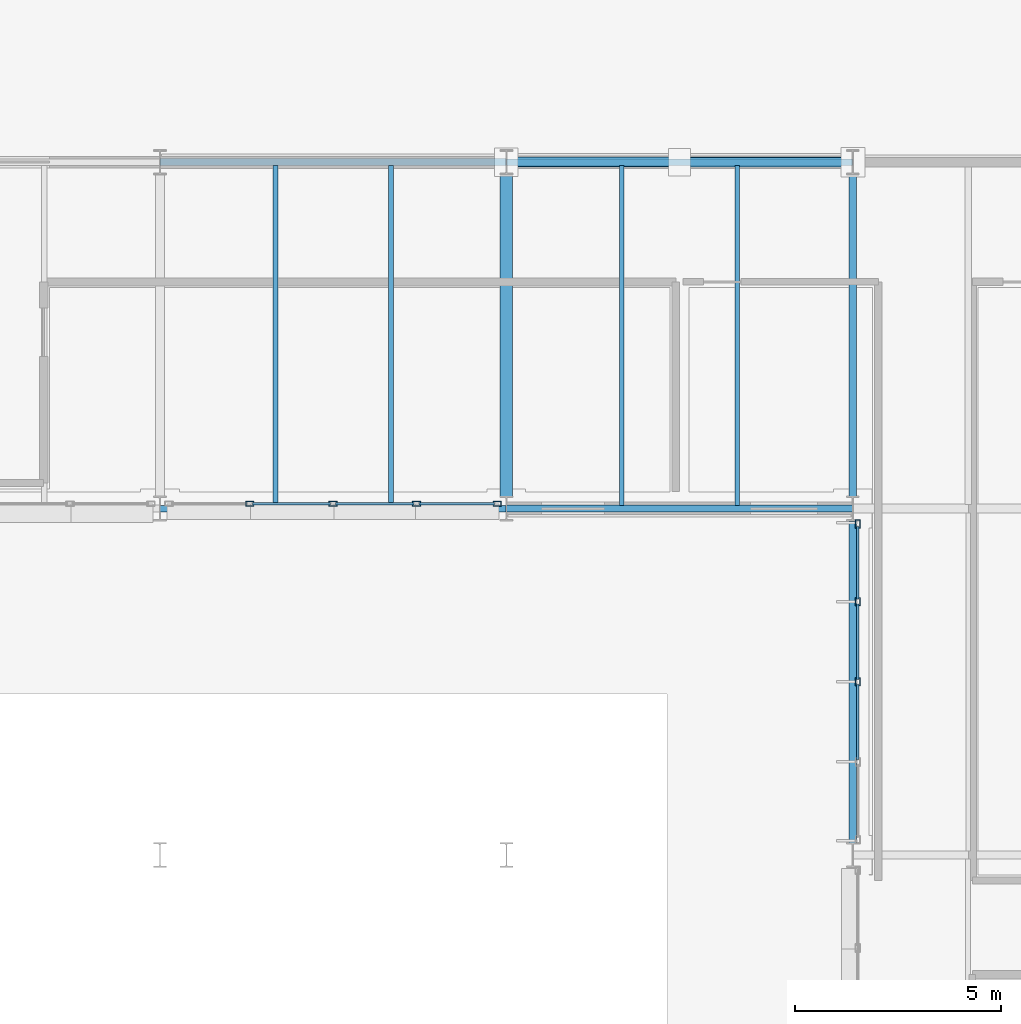
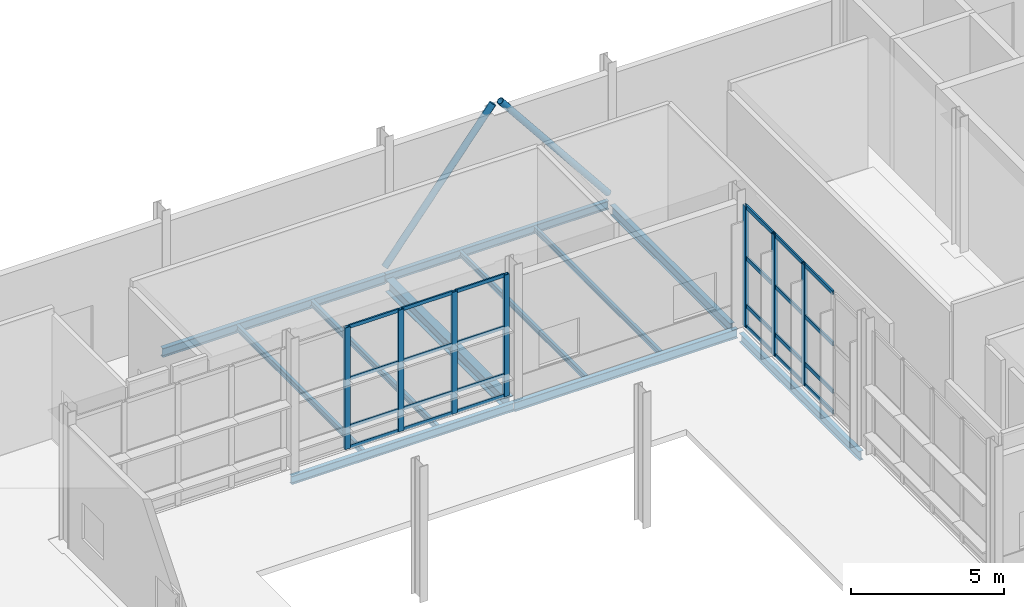
# One storey, part 65 of 124: 33 members, 11 beams, 2 elements without a shape of their own.
"""IFC4 building model written with IfcOpenShell, lengths in metres."""

from ifc_helpers import new_model, si_unit, direction, frame, origin, origin_2d, place, context, subcontext, project, spatial, hollow_rectangle, hollow_circle, i_section, extrude, material, material_profile, profile_set, type_object, element, aggregate, save


model = new_model("IFC4")

# Units and contexts
model_context = context("Model", 3, precision=1e-05, world=origin(), true_north=direction((0.0, 1.0)))
body_context = subcontext(model_context, "Body", "Model", "MODEL_VIEW")
ifc_project = project(units=[si_unit("LENGTHUNIT", "METRE"), si_unit("AREAUNIT", "SQUARE_METRE"), si_unit("VOLUMEUNIT", "CUBIC_METRE"), si_unit("PLANEANGLEUNIT", "RADIAN"), si_unit("MASSUNIT", "GRAM", prefix="KILO")], contexts=[model_context])

# Site, building, storey
site_placement = place(None, origin())
site = spatial("IfcSite", under=ifc_project, at=site_placement, CompositionType="ELEMENT")
building_placement = place(site_placement, origin())
building = spatial("IfcBuilding", under=site, at=building_placement, Name="Mersafa Astral City Hall", CompositionType="ELEMENT")
storey_placement = place(building_placement, origin())
storey = spatial("IfcBuildingStorey", under=building, at=storey_placement, Name="L00", CompositionType="ELEMENT", Elevation=0.0)

# Curtain wall, members
ifc_material_1 = material(Name="Anodised bronze aluminium framing", Category="aluminium")
curtain_wall_type_1 = type_object("IfcCurtainWallType", Name="ENV-CW-4", PredefinedType="USERDEFINED", material=ifc_material_1)
curtain_wall_1_placement = place(storey_placement, origin())
curtain_wall_1 = element("IfcCurtainWall", 1, at=curtain_wall_1_placement, inside=storey, type_object=curtain_wall_type_1, Name="L00 Unitised solar curtain wall 15", ObjectType="UNITISED CURTAIN WALL", PredefinedType="USERDEFINED")
ifc_material_profile_1 = material_profile(ifc_material_1, hollow_rectangle(XDim=0.1201171875, YDim=0.199951171875, WallThickness=0.008056640625, at=origin_2d()), Name="RHS 120x200x8")
ifc_profile_set_1 = profile_set([ifc_material_profile_1], Name="Anodised bronze aluminium framing")
member_type_1 = type_object("IfcMemberType", Name="ENV-CW-MUL-2", PredefinedType="MULLION", material=ifc_profile_set_1)
member_1_placement = place(storey_placement, frame((128.180908203125, 117.719970703125, -0.001953125), z_axis=(0.0, 0.0, 1.0), x_axis=(0.0, 1.0, 0.0)))
member_1 = element("IfcMember", 2, at=member_1_placement, type_object=member_type_1, Name="CW-4 mullion 2", PredefinedType="MULLION", context=body_context, shape_type="SweptSolid", body=[
    extrude(hollow_rectangle(XDim=0.1201171875, YDim=0.199951171875, WallThickness=0.008056640625, at=origin_2d()), origin(), (0.0, 0.0, 1.0), 4.843994140625),
])
member_2_placement = place(storey_placement, frame((130.199951171875, 117.719970703125, -0.001953125), z_axis=(0.0, 0.0, 1.0), x_axis=(0.0, 1.0, 0.0)))
member_2 = element("IfcMember", 3, at=member_2_placement, type_object=member_type_1, Name="CW-4 mullion 3", PredefinedType="MULLION", context=body_context, shape_type="SweptSolid", body=[
    extrude(hollow_rectangle(XDim=0.1201171875, YDim=0.199951171875, WallThickness=0.008056640625, at=origin_2d()), origin(), (0.0, 0.0, 1.0), 4.843994140625),
])
member_3_placement = place(storey_placement, frame((132.218994140625, 117.719970703125, -0.001953125), z_axis=(0.0, 0.0, 1.0), x_axis=(0.0, 1.0, 0.0)))
member_3 = element("IfcMember", 4, at=member_3_placement, type_object=member_type_1, Name="CW-4 mullion 4", PredefinedType="MULLION", context=body_context, shape_type="SweptSolid", body=[
    extrude(hollow_rectangle(XDim=0.1201171875, YDim=0.199951171875, WallThickness=0.008056640625, at=origin_2d()), origin(), (0.0, 0.0, 1.0), 4.843994140625),
])
member_4_placement = place(storey_placement, frame((134.177978515625, 117.719970703125, -0.001953125), z_axis=(0.0, 0.0, 1.0), x_axis=(0.0, 1.0, 0.0)))
member_4 = element("IfcMember", 5, at=member_4_placement, type_object=member_type_1, Name="CW-4 mullion 5", PredefinedType="MULLION", context=body_context, shape_type="SweptSolid", body=[
    extrude(hollow_rectangle(XDim=0.1201171875, YDim=0.199951171875, WallThickness=0.008056640625, at=origin_2d()), origin(), (0.0, 0.0, 1.0), 4.843994140625),
])

curtain_wall_type_2 = type_object("IfcCurtainWallType", Name="ENV-CW-5", PredefinedType="USERDEFINED", material=ifc_material_1)
curtain_wall_2_placement = place(storey_placement, origin())
curtain_wall_2 = element("IfcCurtainWall", 6, at=curtain_wall_2_placement, inside=storey, type_object=curtain_wall_type_2, Name="L00 Unitised solar curtain wall 16", ObjectType="UNITISED CURTAIN WALL", PredefinedType="USERDEFINED")
member_5_placement = place(storey_placement, frame((142.919921875, 117.22802734375, -0.001953125), z_axis=(0.0, 0.0, 1.0), x_axis=(1.0, 0.0, 0.0)))
member_5 = element("IfcMember", 7, at=member_5_placement, type_object=member_type_1, Name="CW-5 mullion 1", PredefinedType="MULLION", context=body_context, shape_type="SweptSolid", body=[
    extrude(hollow_rectangle(XDim=0.1201171875, YDim=0.199951171875, WallThickness=0.008056640625, at=origin_2d()), origin(), (0.0, 0.0, 1.0), 4.81396484375),
])
member_6_placement = place(storey_placement, frame((142.919921875, 115.343994140625, -0.001953125), z_axis=(0.0, 0.0, 1.0), x_axis=(1.0, 0.0, 0.0)))
member_6 = element("IfcMember", 8, at=member_6_placement, type_object=member_type_1, Name="CW-5 mullion 2", PredefinedType="MULLION", context=body_context, shape_type="SweptSolid", body=[
    extrude(hollow_rectangle(XDim=0.1201171875, YDim=0.199951171875, WallThickness=0.008056640625, at=origin_2d()), origin(), (0.0, 0.0, 1.0), 4.81396484375),
])
member_7_placement = place(storey_placement, frame((142.919921875, 113.39990234375, -0.001953125), z_axis=(0.0, 0.0, 1.0), x_axis=(1.0, 0.0, 0.0)))
member_7 = element("IfcMember", 9, at=member_7_placement, type_object=member_type_1, Name="CW-5 mullion 3", PredefinedType="MULLION", context=body_context, shape_type="SweptSolid", body=[
    extrude(hollow_rectangle(XDim=0.1201171875, YDim=0.199951171875, WallThickness=0.008056640625, at=origin_2d()), origin(), (0.0, 0.0, 1.0), 4.81396484375),
])

# Member
ifc_material_profile_2 = material_profile(ifc_material_1, hollow_rectangle(XDim=0.06005859375, YDim=0.139892578125, WallThickness=0.00390625, at=origin_2d()), Name="RHS 60x140x4")
ifc_profile_set_2 = profile_set([ifc_material_profile_2], Name="Anodised bronze aluminium framing")
member_type_2 = type_object("IfcMemberType", Name="ENV-CW-TRN-1", PredefinedType="USERDEFINED", material=ifc_profile_set_2)
member_8_placement = place(storey_placement, frame((128.240966796875, 117.719970703125, 0.028076171875), z_axis=(1.0, 0.0, 0.0), x_axis=(0.0, 1.0, 0.0)))
member_8 = element("IfcMember", 10, at=member_8_placement, type_object=member_type_2, Name="CW-4 transom 2.1", ObjectType="TRANSOM", PredefinedType="USERDEFINED", context=body_context, shape_type="SweptSolid", body=[
    extrude(hollow_rectangle(XDim=0.06005859375, YDim=0.139892578125, WallThickness=0.00390625, at=origin_2d()), origin(), (0.0, 0.0, 1.0), 1.89892578125),
])

member_9_placement = place(storey_placement, frame((128.240966796875, 117.719970703125, 0.85009765625), z_axis=(1.0, 0.0, 0.0), x_axis=(0.0, 1.0, 0.0)))
member_9 = element("IfcMember", 11, at=member_9_placement, type_object=member_type_2, Name="CW-4 transom 2.2", ObjectType="TRANSOM", PredefinedType="USERDEFINED", context=body_context, shape_type="SweptSolid", body=[
    extrude(hollow_rectangle(XDim=0.06005859375, YDim=0.139892578125, WallThickness=0.00390625, at=origin_2d()), origin(), (0.0, 0.0, 1.0), 1.89892578125),
])

member_10_placement = place(storey_placement, frame((128.240966796875, 117.719970703125, 2.75), z_axis=(1.0, 0.0, 0.0), x_axis=(0.0, 1.0, 0.0)))
member_10 = element("IfcMember", 12, at=member_10_placement, type_object=member_type_2, Name="CW-4 transom 2.3", ObjectType="TRANSOM", PredefinedType="USERDEFINED", context=body_context, shape_type="SweptSolid", body=[
    extrude(hollow_rectangle(XDim=0.06005859375, YDim=0.139892578125, WallThickness=0.00390625, at=origin_2d()), origin(), (0.0, 0.0, 1.0), 1.89892578125),
])

member_11_placement = place(storey_placement, frame((128.240966796875, 117.719970703125, 4.81201171875), z_axis=(1.0, 0.0, 0.0), x_axis=(0.0, 1.0, 0.0)))
member_11 = element("IfcMember", 13, at=member_11_placement, type_object=member_type_2, Name="CW-4 transom 2.4", ObjectType="TRANSOM", PredefinedType="USERDEFINED", context=body_context, shape_type="SweptSolid", body=[
    extrude(hollow_rectangle(XDim=0.06005859375, YDim=0.139892578125, WallThickness=0.00390625, at=origin_2d()), origin(), (0.0, 0.0, 1.0), 1.89892578125),
])

member_12_placement = place(storey_placement, frame((130.260009765625, 117.719970703125, 0.028076171875), z_axis=(1.0, 0.0, 0.0), x_axis=(0.0, 1.0, 0.0)))
member_12 = element("IfcMember", 14, at=member_12_placement, type_object=member_type_2, Name="CW-4 transom 3.1", ObjectType="TRANSOM", PredefinedType="USERDEFINED", context=body_context, shape_type="SweptSolid", body=[
    extrude(hollow_rectangle(XDim=0.06005859375, YDim=0.139892578125, WallThickness=0.00390625, at=origin_2d()), origin(), (0.0, 0.0, 1.0), 1.89892578125),
])

member_13_placement = place(storey_placement, frame((130.260009765625, 117.719970703125, 0.85009765625), z_axis=(1.0, 0.0, 0.0), x_axis=(0.0, 1.0, 0.0)))
member_13 = element("IfcMember", 15, at=member_13_placement, type_object=member_type_2, Name="CW-4 transom 3.2", ObjectType="TRANSOM", PredefinedType="USERDEFINED", context=body_context, shape_type="SweptSolid", body=[
    extrude(hollow_rectangle(XDim=0.06005859375, YDim=0.139892578125, WallThickness=0.00390625, at=origin_2d()), origin(), (0.0, 0.0, 1.0), 1.89892578125),
])

member_14_placement = place(storey_placement, frame((130.260009765625, 117.719970703125, 2.75), z_axis=(1.0, 0.0, 0.0), x_axis=(0.0, 1.0, 0.0)))
member_14 = element("IfcMember", 16, at=member_14_placement, type_object=member_type_2, Name="CW-4 transom 3.3", ObjectType="TRANSOM", PredefinedType="USERDEFINED", context=body_context, shape_type="SweptSolid", body=[
    extrude(hollow_rectangle(XDim=0.06005859375, YDim=0.139892578125, WallThickness=0.00390625, at=origin_2d()), origin(), (0.0, 0.0, 1.0), 1.89892578125),
])

member_15_placement = place(storey_placement, frame((130.260009765625, 117.719970703125, 4.81201171875), z_axis=(1.0, 0.0, 0.0), x_axis=(0.0, 1.0, 0.0)))
member_15 = element("IfcMember", 17, at=member_15_placement, type_object=member_type_2, Name="CW-4 transom 3.4", ObjectType="TRANSOM", PredefinedType="USERDEFINED", context=body_context, shape_type="SweptSolid", body=[
    extrude(hollow_rectangle(XDim=0.06005859375, YDim=0.139892578125, WallThickness=0.00390625, at=origin_2d()), origin(), (0.0, 0.0, 1.0), 1.89892578125),
])

member_16_placement = place(storey_placement, frame((132.279052734375, 117.719970703125, 0.028076171875), z_axis=(1.0, 0.0, 0.0), x_axis=(0.0, 1.0, 0.0)))
member_16 = element("IfcMember", 18, at=member_16_placement, type_object=member_type_2, Name="CW-4 transom 4.1", ObjectType="TRANSOM", PredefinedType="USERDEFINED", context=body_context, shape_type="SweptSolid", body=[
    extrude(hollow_rectangle(XDim=0.06005859375, YDim=0.139892578125, WallThickness=0.00390625, at=origin_2d()), origin(), (0.0, 0.0, 1.0), 1.8388671875),
])

member_17_placement = place(storey_placement, frame((132.279052734375, 117.719970703125, 0.85009765625), z_axis=(1.0, 0.0, 0.0), x_axis=(0.0, 1.0, 0.0)))
member_17 = element("IfcMember", 19, at=member_17_placement, type_object=member_type_2, Name="CW-4 transom 4.2", ObjectType="TRANSOM", PredefinedType="USERDEFINED", context=body_context, shape_type="SweptSolid", body=[
    extrude(hollow_rectangle(XDim=0.06005859375, YDim=0.139892578125, WallThickness=0.00390625, at=origin_2d()), origin(), (0.0, 0.0, 1.0), 1.8388671875),
])

member_18_placement = place(storey_placement, frame((132.279052734375, 117.719970703125, 2.75), z_axis=(1.0, 0.0, 0.0), x_axis=(0.0, 1.0, 0.0)))
member_18 = element("IfcMember", 20, at=member_18_placement, type_object=member_type_2, Name="CW-4 transom 4.3", ObjectType="TRANSOM", PredefinedType="USERDEFINED", context=body_context, shape_type="SweptSolid", body=[
    extrude(hollow_rectangle(XDim=0.06005859375, YDim=0.139892578125, WallThickness=0.00390625, at=origin_2d()), origin(), (0.0, 0.0, 1.0), 1.8388671875),
])

member_19_placement = place(storey_placement, frame((132.279052734375, 117.719970703125, 4.81201171875), z_axis=(1.0, 0.0, 0.0), x_axis=(0.0, 1.0, 0.0)))
member_19 = element("IfcMember", 21, at=member_19_placement, type_object=member_type_2, Name="CW-4 transom 4.4", ObjectType="TRANSOM", PredefinedType="USERDEFINED", context=body_context, shape_type="SweptSolid", body=[
    extrude(hollow_rectangle(XDim=0.06005859375, YDim=0.139892578125, WallThickness=0.00390625, at=origin_2d()), origin(), (0.0, 0.0, 1.0), 1.8388671875),
])

aggregate(curtain_wall_1, [member_1, member_2, member_3, member_4, member_8, member_9, member_10, member_11, member_12, member_13, member_14, member_15, member_16, member_17, member_18, member_19])

ifc_material_profile_3 = material_profile(ifc_material_1, hollow_rectangle(XDim=0.06005859375, YDim=0.159912109375, WallThickness=0.00390625, at=origin_2d()), Name="RHS 60x160x4")
ifc_profile_set_3 = profile_set([ifc_material_profile_3], Name="Anodised bronze aluminium framing")
member_type_3 = type_object("IfcMemberType", Name="ENV-CW-TRN-2", PredefinedType="USERDEFINED", material=ifc_profile_set_3)
member_20_placement = place(storey_placement, frame((142.919921875, 117.16796875, 0.028076171875), z_axis=(0.0, -1.0, 0.0), x_axis=(1.0, 0.0, 0.0)))
member_20 = element("IfcMember", 22, at=member_20_placement, type_object=member_type_3, Name="CW-5 transom 1.1", ObjectType="TRANSOM", PredefinedType="USERDEFINED", context=body_context, shape_type="SweptSolid", body=[
    extrude(hollow_rectangle(XDim=0.06005859375, YDim=0.159912109375, WallThickness=0.00390625, at=origin_2d()), origin(), (0.0, 0.0, 1.0), 1.763916015625),
])

member_21_placement = place(storey_placement, frame((142.919921875, 117.16796875, 0.85009765625), z_axis=(0.0, -1.0, 0.0), x_axis=(1.0, 0.0, 0.0)))
member_21 = element("IfcMember", 23, at=member_21_placement, type_object=member_type_3, Name="CW-5 transom 1.2", ObjectType="TRANSOM", PredefinedType="USERDEFINED", context=body_context, shape_type="SweptSolid", body=[
    extrude(hollow_rectangle(XDim=0.06005859375, YDim=0.159912109375, WallThickness=0.00390625, at=origin_2d()), origin(), (0.0, 0.0, 1.0), 1.763916015625),
])

member_22_placement = place(storey_placement, frame((142.919921875, 117.16796875, 2.75), z_axis=(0.0, -1.0, 0.0), x_axis=(1.0, 0.0, 0.0)))
member_22 = element("IfcMember", 24, at=member_22_placement, type_object=member_type_3, Name="CW-5 transom 1.3", ObjectType="TRANSOM", PredefinedType="USERDEFINED", context=body_context, shape_type="SweptSolid", body=[
    extrude(hollow_rectangle(XDim=0.06005859375, YDim=0.159912109375, WallThickness=0.00390625, at=origin_2d()), origin(), (0.0, 0.0, 1.0), 1.763916015625),
])

member_23_placement = place(storey_placement, frame((142.919921875, 117.16796875, 4.781982421875), z_axis=(0.0, -1.0, 0.0), x_axis=(1.0, 0.0, 0.0)))
member_23 = element("IfcMember", 25, at=member_23_placement, type_object=member_type_3, Name="CW-5 transom 1.4", ObjectType="TRANSOM", PredefinedType="USERDEFINED", context=body_context, shape_type="SweptSolid", body=[
    extrude(hollow_rectangle(XDim=0.06005859375, YDim=0.159912109375, WallThickness=0.00390625, at=origin_2d()), origin(), (0.0, 0.0, 1.0), 1.763916015625),
])

member_24_placement = place(storey_placement, frame((142.919921875, 115.283935546875, 0.028076171875), z_axis=(0.0, -1.0, 0.0), x_axis=(1.0, 0.0, 0.0)))
member_24 = element("IfcMember", 26, at=member_24_placement, type_object=member_type_3, Name="CW-5 transom 2.1", ObjectType="TRANSOM", PredefinedType="USERDEFINED", context=body_context, shape_type="SweptSolid", body=[
    extrude(hollow_rectangle(XDim=0.06005859375, YDim=0.159912109375, WallThickness=0.00390625, at=origin_2d()), origin(), (0.0, 0.0, 1.0), 1.823974609375),
])

member_25_placement = place(storey_placement, frame((142.919921875, 115.283935546875, 0.85009765625), z_axis=(0.0, -1.0, 0.0), x_axis=(1.0, 0.0, 0.0)))
member_25 = element("IfcMember", 27, at=member_25_placement, type_object=member_type_3, Name="CW-5 transom 2.2", ObjectType="TRANSOM", PredefinedType="USERDEFINED", context=body_context, shape_type="SweptSolid", body=[
    extrude(hollow_rectangle(XDim=0.06005859375, YDim=0.159912109375, WallThickness=0.00390625, at=origin_2d()), origin(), (0.0, 0.0, 1.0), 1.823974609375),
])

member_26_placement = place(storey_placement, frame((142.919921875, 115.283935546875, 2.75), z_axis=(0.0, -1.0, 0.0), x_axis=(1.0, 0.0, 0.0)))
member_26 = element("IfcMember", 28, at=member_26_placement, type_object=member_type_3, Name="CW-5 transom 2.3", ObjectType="TRANSOM", PredefinedType="USERDEFINED", context=body_context, shape_type="SweptSolid", body=[
    extrude(hollow_rectangle(XDim=0.06005859375, YDim=0.159912109375, WallThickness=0.00390625, at=origin_2d()), origin(), (0.0, 0.0, 1.0), 1.823974609375),
])

member_27_placement = place(storey_placement, frame((142.919921875, 115.283935546875, 4.781982421875), z_axis=(0.0, -1.0, 0.0), x_axis=(1.0, 0.0, 0.0)))
member_27 = element("IfcMember", 29, at=member_27_placement, type_object=member_type_3, Name="CW-5 transom 2.4", ObjectType="TRANSOM", PredefinedType="USERDEFINED", context=body_context, shape_type="SweptSolid", body=[
    extrude(hollow_rectangle(XDim=0.06005859375, YDim=0.159912109375, WallThickness=0.00390625, at=origin_2d()), origin(), (0.0, 0.0, 1.0), 1.823974609375),
])

member_28_placement = place(storey_placement, frame((142.919921875, 113.340087890625, 0.028076171875), z_axis=(0.0, -1.0, 0.0), x_axis=(1.0, 0.0, 0.0)))
member_28 = element("IfcMember", 30, at=member_28_placement, type_object=member_type_3, Name="CW-5 transom 3.1", ObjectType="TRANSOM", PredefinedType="USERDEFINED", context=body_context, shape_type="SweptSolid", body=[
    extrude(hollow_rectangle(XDim=0.06005859375, YDim=0.159912109375, WallThickness=0.00390625, at=origin_2d()), origin(), (0.0, 0.0, 1.0), 1.823974609375),
])

member_29_placement = place(storey_placement, frame((142.919921875, 113.340087890625, 0.85009765625), z_axis=(0.0, -1.0, 0.0), x_axis=(1.0, 0.0, 0.0)))
member_29 = element("IfcMember", 31, at=member_29_placement, type_object=member_type_3, Name="CW-5 transom 3.2", ObjectType="TRANSOM", PredefinedType="USERDEFINED", context=body_context, shape_type="SweptSolid", body=[
    extrude(hollow_rectangle(XDim=0.06005859375, YDim=0.159912109375, WallThickness=0.00390625, at=origin_2d()), origin(), (0.0, 0.0, 1.0), 1.823974609375),
])

member_30_placement = place(storey_placement, frame((142.919921875, 113.340087890625, 2.75), z_axis=(0.0, -1.0, 0.0), x_axis=(1.0, 0.0, 0.0)))
member_30 = element("IfcMember", 32, at=member_30_placement, type_object=member_type_3, Name="CW-5 transom 3.3", ObjectType="TRANSOM", PredefinedType="USERDEFINED", context=body_context, shape_type="SweptSolid", body=[
    extrude(hollow_rectangle(XDim=0.06005859375, YDim=0.159912109375, WallThickness=0.00390625, at=origin_2d()), origin(), (0.0, 0.0, 1.0), 1.823974609375),
])

member_31_placement = place(storey_placement, frame((142.919921875, 113.340087890625, 4.781982421875), z_axis=(0.0, -1.0, 0.0), x_axis=(1.0, 0.0, 0.0)))
member_31 = element("IfcMember", 33, at=member_31_placement, type_object=member_type_3, Name="CW-5 transom 3.4", ObjectType="TRANSOM", PredefinedType="USERDEFINED", context=body_context, shape_type="SweptSolid", body=[
    extrude(hollow_rectangle(XDim=0.06005859375, YDim=0.159912109375, WallThickness=0.00390625, at=origin_2d()), origin(), (0.0, 0.0, 1.0), 1.823974609375),
])

aggregate(curtain_wall_2, [member_5, member_6, member_7, member_20, member_21, member_22, member_23, member_24, member_25, member_26, member_27, member_28, member_29, member_30, member_31])

# Beams
ifc_material_2 = material(Name="Steel S355", Category="steel")
ifc_material_profile_4 = material_profile(ifc_material_2, i_section(OverallWidth=0.300048828125, OverallDepth=0.489990234375, WebThickness=0.011962890625, FlangeThickness=0.02294921875, FilletRadius=0.027099609375, at=origin_2d()), Name="HEA 500")
ifc_profile_set_4 = profile_set([ifc_material_profile_4], Name="Steel S355")
beam_type_1 = type_object("IfcBeamType", Name="STR-BM-HEA500", PredefinedType="BEAM", material=ifc_profile_set_4)
beam_1_placement = place(storey_placement, frame((134.39990234375, 117.89501953125, -0.4951171875), z_axis=(0.0, 1.0, 0.0), x_axis=(-1.0, 0.0, 0.0)))
element("IfcBeam", 34, at=beam_1_placement, inside=storey, type_object=beam_type_1, Name="L00 Primary girder Y 16-14", PredefinedType="BEAM", context=body_context, shape_type="SweptSolid", body=[
    extrude(i_section(OverallWidth=0.300048828125, OverallDepth=0.489990234375, WebThickness=0.011962890625, FlangeThickness=0.02294921875, FilletRadius=0.027099609375, at=origin_2d()), origin(), (0.0, 0.0, 1.0), 7.81005859375),
])
ifc_material_profile_5 = material_profile(ifc_material_2, i_section(OverallWidth=0.179931640625, OverallDepth=0.39990234375, WebThickness=0.008544921875, FlangeThickness=0.013427734375, FilletRadius=0.02099609375, at=origin_2d()), Name="IPE 400")
ifc_profile_set_5 = profile_set([ifc_material_profile_5], Name="Steel S355")
beam_type_2 = type_object("IfcBeamType", Name="STR-BM-IPE400", PredefinedType="BEAM", material=ifc_profile_set_5)
beam_2_placement = place(storey_placement, frame((142.800048828125, 117.89501953125, -0.449951171875), z_axis=(0.0, 1.0, 0.0), x_axis=(-1.0, 0.0, 0.0)))
element("IfcBeam", 35, at=beam_2_placement, inside=storey, type_object=beam_type_2, Name="L00 Primary girder Y 17-14", PredefinedType="BEAM", context=body_context, shape_type="SweptSolid", body=[
    extrude(i_section(OverallWidth=0.179931640625, OverallDepth=0.39990234375, WebThickness=0.008544921875, FlangeThickness=0.013427734375, FilletRadius=0.02099609375, at=origin_2d()), origin(), (0.0, 0.0, 1.0), 7.81005859375),
])
ifc_material_profile_6 = material_profile(ifc_material_2, i_section(OverallWidth=0.110107421875, OverallDepth=0.219970703125, WebThickness=0.005859375, FlangeThickness=0.00927734375, FilletRadius=0.011962890625, at=origin_2d()), Name="IPE 220")
ifc_profile_set_6 = profile_set([ifc_material_profile_6], Name="Steel S355")
beam_type_3 = type_object("IfcBeamType", Name="STR-BM-JOIST-IPE220", PredefinedType="JOIST", material=ifc_profile_set_6)
for number, where, z_axis, x_axis, name in (
    (36, (137.199951171875, 117.679931640625, -0.360107421875), (0.0, 1.0, 0.0), (-1.0, 0.0, 0.0), "L00 Composite secondary floor joist 162"),
    (37, (140.0, 117.679931640625, -0.360107421875), (0.0, 1.0, 0.0), (-1.0, 0.0, 0.0), "L00 Composite secondary floor joist 163"),
):
    element("IfcBeam", number, at=place(storey_placement, frame(where, z_axis=z_axis, x_axis=x_axis)), inside=storey, type_object=beam_type_3, Name=name, PredefinedType="JOIST", context=body_context, shape_type="SweptSolid", body=[
        extrude(i_section(OverallWidth=0.110107421875, OverallDepth=0.219970703125, WebThickness=0.005859375, FlangeThickness=0.00927734375, FilletRadius=0.011962890625, at=origin_2d()), origin(), (0.0, 0.0, 1.0), 8.2451171875),
    ])
ifc_material_profile_7 = material_profile(ifc_material_2, i_section(OverallWidth=0.1201171875, OverallDepth=0.239990234375, WebThickness=0.006103515625, FlangeThickness=0.009765625, FilletRadius=0.014892578125, at=origin_2d()), Name="IPE 240")
ifc_profile_set_7 = profile_set([ifc_material_profile_7], Name="Steel S355")
beam_type_4 = type_object("IfcBeamType", Name="STR-BM-JOIST-IPE240", PredefinedType="JOIST", material=ifc_profile_set_7)
for number, where, z_axis, x_axis, name in (
    (38, (128.800048828125, 117.675048828125, -0.3701171875), (0.0, 1.0, 0.0), (-1.0, 0.0, 0.0), "L00 Composite secondary floor joist 152"),
    (39, (131.60009765625, 117.675048828125, -0.3701171875), (0.0, 1.0, 0.0), (-1.0, 0.0, 0.0), "L00 Composite secondary floor joist 153"),
):
    element("IfcBeam", number, at=place(storey_placement, frame(where, z_axis=z_axis, x_axis=x_axis)), inside=storey, type_object=beam_type_4, Name=name, PredefinedType="JOIST", context=body_context, shape_type="SweptSolid", body=[
        extrude(i_section(OverallWidth=0.1201171875, OverallDepth=0.239990234375, WebThickness=0.006103515625, FlangeThickness=0.009765625, FilletRadius=0.014892578125, at=origin_2d()), origin(), (0.0, 0.0, 1.0), 8.244873046875),
    ])
ifc_material_profile_8 = material_profile(ifc_material_2, i_section(OverallWidth=0.159912109375, OverallDepth=0.330078125, WebThickness=0.007568359375, FlangeThickness=0.011474609375, FilletRadius=0.01806640625, at=origin_2d()), Name="IPE 330")
ifc_profile_set_8 = profile_set([ifc_material_profile_8], Name="Steel S355")
beam_type_5 = type_object("IfcBeamType", Name="STR-BM-SPANDREL-IPE330", PredefinedType="SPANDREL", material=ifc_profile_set_8)
for number, where, z_axis, x_axis, name in (
    (40, (126.0029296875, 117.60009765625, -0.4150390625), (1.0, 0.0, 0.0), (0.0, 1.0, 0.0), "L00 Primary girder X 15-14"),
    (41, (134.403076171875, 126.0, -0.4150390625), (1.0, 0.0, 0.0), (0.0, 1.0, 0.0), "L00 Primary girder X 16-15"),
):
    element("IfcBeam", number, at=place(storey_placement, frame(where, z_axis=z_axis, x_axis=x_axis)), inside=storey, type_object=beam_type_5, Name=name, PredefinedType="SPANDREL", context=body_context, shape_type="SweptSolid", body=[
        extrude(i_section(OverallWidth=0.159912109375, OverallDepth=0.330078125, WebThickness=0.007568359375, FlangeThickness=0.011474609375, FilletRadius=0.01806640625, at=origin_2d()), origin(), (0.0, 0.0, 1.0), 8.39404296875),
    ])
ifc_material_profile_9 = material_profile(ifc_material_2, i_section(OverallWidth=0.169921875, OverallDepth=0.360107421875, WebThickness=0.008056640625, FlangeThickness=0.0126953125, FilletRadius=0.01806640625, at=origin_2d()), Name="IPE 360")
ifc_profile_set_9 = profile_set([ifc_material_profile_9], Name="Steel S355")
beam_type_6 = type_object("IfcBeamType", Name="STR-BM-SPANDREL-IPE360", PredefinedType="SPANDREL", material=ifc_profile_set_9)
for number, where, z_axis, x_axis, name in (
    (42, (134.403076171875, 117.60009765625, -0.429931640625), (1.0, 0.0, 0.0), (0.0, 1.0, 0.0), "L00 Primary girder X 16-14"),
    (43, (126.0029296875, 126.0, -0.429931640625), (1.0, 0.0, 0.0), (0.0, 1.0, 0.0), "L00 Primary girder X 15-15"),
):
    element("IfcBeam", number, at=place(storey_placement, frame(where, z_axis=z_axis, x_axis=x_axis)), inside=storey, type_object=beam_type_6, Name=name, PredefinedType="SPANDREL", context=body_context, shape_type="SweptSolid", body=[
        extrude(i_section(OverallWidth=0.169921875, OverallDepth=0.360107421875, WebThickness=0.008056640625, FlangeThickness=0.0126953125, FilletRadius=0.01806640625, at=origin_2d()), origin(), (0.0, 0.0, 1.0), 8.39404296875),
    ])
beam_3_placement = place(storey_placement, frame((142.800048828125, 109.4951171875, -0.429931640625), z_axis=(0.0, 1.0, 0.0), x_axis=(-1.0, 0.0, 0.0)))
element("IfcBeam", 44, at=beam_3_placement, inside=storey, type_object=beam_type_6, Name="L00 Primary girder Y 17-13", PredefinedType="SPANDREL", context=body_context, shape_type="SweptSolid", body=[
    extrude(i_section(OverallWidth=0.169921875, OverallDepth=0.360107421875, WebThickness=0.008056640625, FlangeThickness=0.0126953125, FilletRadius=0.01806640625, at=origin_2d()), origin(), (0.0, 0.0, 1.0), 7.809814453125),
])

# Members
ifc_material_profile_10 = material_profile(ifc_material_2, hollow_circle(Radius=0.122314453125, WallThickness=0.012451171875, at=origin_2d()), Name="CHS 244.5x12.5")
ifc_profile_set_10 = profile_set([ifc_material_profile_10], Name="Steel S355")
member_type_4 = type_object("IfcMemberType", Name="STR-MBR-BRACE-CHS245", PredefinedType="BRACE", material=ifc_profile_set_10)
for number, where, z_axis, x_axis, name in (
    (45, (134.39794921875, 126.0, 0.02001953125), (0.624136771792, 0.0, 0.78131510295), (0.0, 1.0, 0.0), "L00 Chevron lateral brace 14A"),
    (46, (142.802001953125, 126.0, 0.02001953125), (-0.624136771792, 0.0, 0.78131510295), (0.0, -1.0, 0.0), "L00 Chevron lateral brace 14B"),
):
    element("IfcMember", number, at=place(storey_placement, frame(where, z_axis=z_axis, x_axis=x_axis)), inside=storey, type_object=member_type_4, Name=name, PredefinedType="BRACE", context=body_context, shape_type="SweptSolid", body=[
        extrude(hollow_circle(Radius=0.122314453125, WallThickness=0.012451171875, at=origin_2d()), origin(), (0.0, 0.0, 1.0), 6.50830078125),
    ])

save(model, "model.ifc")
